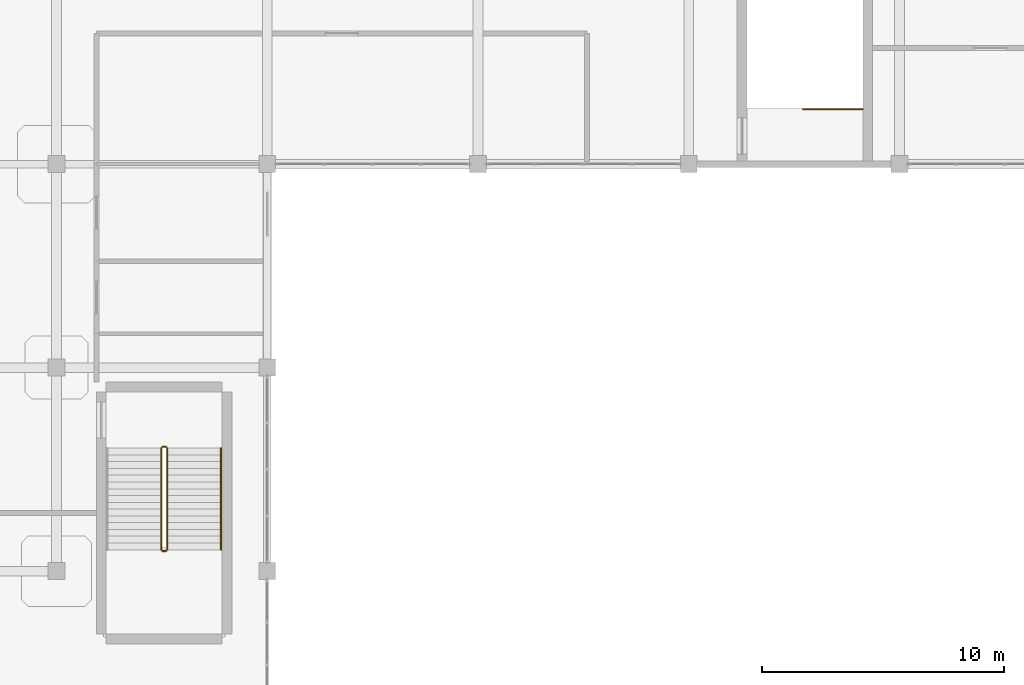
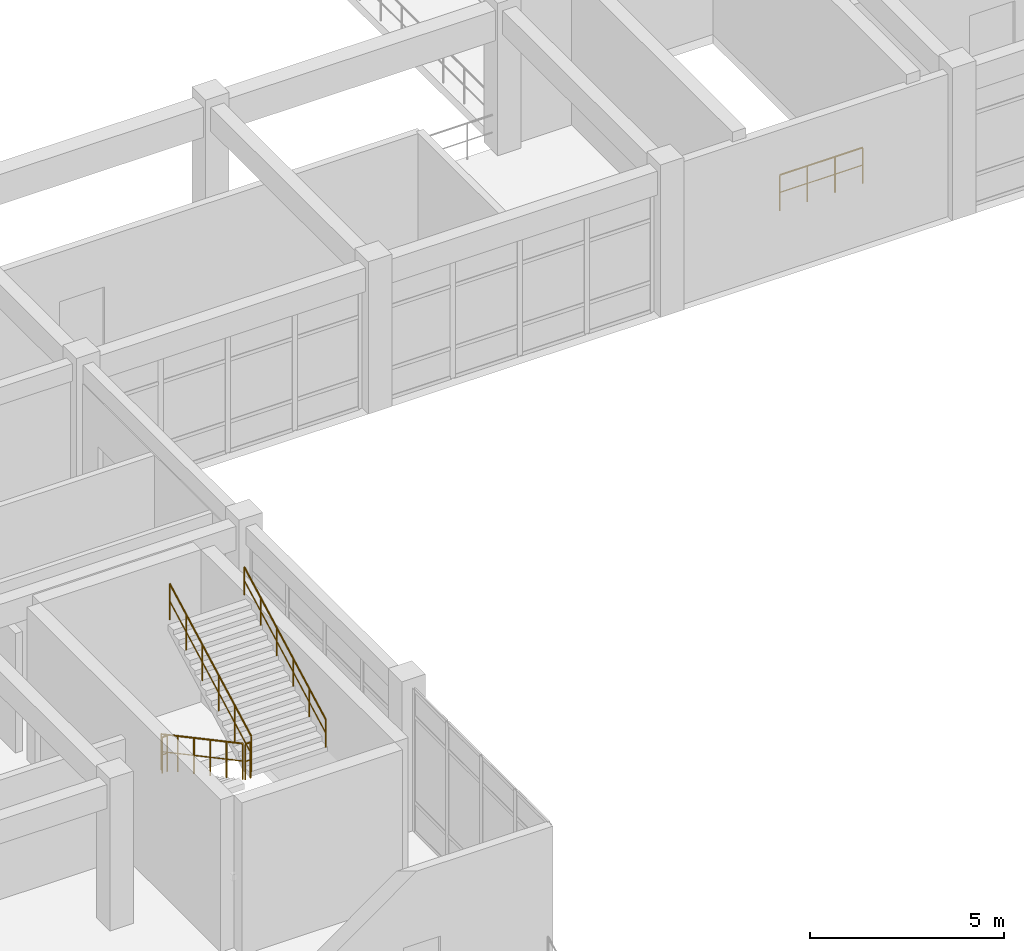
# One storey, part 62 of 64: 6 railings.
"""IFC4 building model written with IfcOpenShell, lengths in metres."""

from ifc_helpers import new_model, si_unit, derived_unit, direction, frame, origin, origin_2d, place, context, subcontext, project, spatial, circle, extrude, material, type_object, element, save


model = new_model("IFC4")

# Units and contexts
model_context = context("Model", 3, precision=1e-05, world=origin(), true_north=direction((0.0, 1.0)))
body_context = subcontext(model_context, "Body", "Model", "MODEL_VIEW")
ifc_project = project(units=[si_unit("LENGTHUNIT", "METRE"), si_unit("AREAUNIT", "SQUARE_METRE"), si_unit("VOLUMEUNIT", "CUBIC_METRE"), si_unit("PLANEANGLEUNIT", "RADIAN"), si_unit("MASSUNIT", "GRAM", prefix="KILO"), derived_unit("THERMALTRANSMITTANCEUNIT", [(si_unit("MASSUNIT", "GRAM", prefix="KILO"), 1), (si_unit("TIMEUNIT", "SECOND"), -3), (si_unit("THERMODYNAMICTEMPERATUREUNIT", "KELVIN"), -1)])], contexts=[model_context])

# Site, building, storey
site_placement = place(None, origin())
site = spatial("IfcSite", under=ifc_project, at=site_placement, CompositionType="ELEMENT")
building_placement = place(site_placement, origin())
building = spatial("IfcBuilding", under=site, at=building_placement, Name="Qinzheling Arcade Emporium", CompositionType="ELEMENT")
storey_placement = place(building_placement, frame((0.0, 0.0, 31.5)))
storey = spatial("IfcBuildingStorey", under=building, at=storey_placement, Name="L07", CompositionType="ELEMENT", Elevation=31.5)

# Railings
ifc_material_1 = material(Name="Galvanised powder-coated tubular steel", Category="steel")
railing_type_1 = type_object("IfcRailingType", Name="Painted Steel Stairwell Guard Railing 1150", PredefinedType="GUARDRAIL", material=ifc_material_1)
railing_1_placement = place(storey_placement, frame((65.219970703125, 30.280029296875, 0.14990234375)))
element("IfcRailing", 1, at=railing_1_placement, inside=storey, type_object=railing_type_1, Name="L07 ST01 stair guard 1", PredefinedType="GUARDRAIL", context=body_context, shape_type="SweptSolid", body=[
    extrude(circle(Radius=0.02392578125, at=origin_2d()), frame((0.0, 0.0, 1.1259765625), z_axis=(0.0, -0.881477684796, 0.472225678258), x_axis=(1.0, 0.0, 0.0)), (0.0, 0.0, 1.0), 4.7646484375),
    extrude(circle(Radius=0.01611328125, at=origin_2d()), frame((0.0, 0.0, 0.574951171875), z_axis=(0.0, -0.881477684796, 0.472225678258), x_axis=(1.0, 0.0, 0.0)), (0.0, 0.0, 1.0), 4.7646484375),
    extrude(circle(Radius=0.02099609375, at=origin_2d()), origin(), (0.0, 0.0, 1.0), 1.101806640625),
    extrude(circle(Radius=0.02099609375, at=origin_2d()), frame((0.0, -0.840087890625, 0.449951171875)), (0.0, 0.0, 1.0), 1.101806640625),
    extrude(circle(Radius=0.02099609375, at=origin_2d()), frame((0.0, -1.679931640625, 0.89990234375)), (0.0, 0.0, 1.0), 1.101806640625),
    extrude(circle(Radius=0.02099609375, at=origin_2d()), frame((0.0, -2.52001953125, 1.35009765625)), (0.0, 0.0, 1.0), 1.101806640625),
    extrude(circle(Radius=0.02099609375, at=origin_2d()), frame((0.0, -3.35986328125, 1.800048828125)), (0.0, 0.0, 1.0), 1.101806640625),
    extrude(circle(Radius=0.02099609375, at=origin_2d()), frame((0.0, -4.199951171875, 2.25)), (0.0, 0.0, 1.0), 1.101806640625),
])
railing_2_placement = place(storey_placement, frame((65.27001953125, 26.030029296875, 2.39990234375)))
element("IfcRailing", 2, at=railing_2_placement, inside=storey, type_object=railing_type_1, Name="L07 ST01 stair guard 2", PredefinedType="GUARDRAIL", context=body_context, shape_type="SweptSolid", body=[
    extrude(circle(Radius=0.02392578125, at=origin_2d()), frame((0.0, 0.0, 1.1259765625), z_axis=(1.0, 0.0, 0.0), x_axis=(0.0, 1.0, 0.0)), (0.0, 0.0, 1.0), 0.14990234375),
    extrude(circle(Radius=0.01611328125, at=origin_2d()), frame((0.0, 0.0, 0.574951171875), z_axis=(1.0, 0.0, 0.0), x_axis=(0.0, 1.0, 0.0)), (0.0, 0.0, 1.0), 0.14990234375),
    extrude(circle(Radius=0.02099609375, at=origin_2d()), origin(), (0.0, 0.0, 1.0), 1.101806640625),
    extrude(circle(Radius=0.02099609375, at=origin_2d()), frame((0.14990234375, 0.0, 0.0)), (0.0, 0.0, 1.0), 1.101806640625),
])
railing_3_placement = place(storey_placement, frame((65.469970703125, 26.080078125, 2.550048828125)))
element("IfcRailing", 3, at=railing_3_placement, inside=storey, type_object=railing_type_1, Name="L07 ST01 stair guard 3", PredefinedType="GUARDRAIL", context=body_context, shape_type="SweptSolid", body=[
    extrude(circle(Radius=0.02392578125, at=origin_2d()), frame((0.0, 0.0, 1.1259765625), z_axis=(0.0, 0.881477684796, 0.472225678258), x_axis=(-1.0, 0.0, 0.0)), (0.0, 0.0, 1.0), 4.7646484375),
    extrude(circle(Radius=0.01611328125, at=origin_2d()), frame((0.0, 0.0, 0.574951171875), z_axis=(0.0, 0.881477684796, 0.472225678258), x_axis=(-1.0, 0.0, 0.0)), (0.0, 0.0, 1.0), 4.7646484375),
    extrude(circle(Radius=0.02099609375, at=origin_2d()), origin(), (0.0, 0.0, 1.0), 1.101806640625),
    extrude(circle(Radius=0.02099609375, at=origin_2d()), frame((0.0, 0.840087890625, 0.449951171875)), (0.0, 0.0, 1.0), 1.101806640625),
    extrude(circle(Radius=0.02099609375, at=origin_2d()), frame((0.0, 1.679931640625, 0.89990234375)), (0.0, 0.0, 1.0), 1.101806640625),
    extrude(circle(Radius=0.02099609375, at=origin_2d()), frame((0.0, 2.52001953125, 1.35009765625)), (0.0, 0.0, 1.0), 1.101806640625),
    extrude(circle(Radius=0.02099609375, at=origin_2d()), frame((0.0, 3.35986328125, 1.800048828125)), (0.0, 0.0, 1.0), 1.101806640625),
    extrude(circle(Radius=0.02099609375, at=origin_2d()), frame((0.0, 4.199951171875, 2.25)), (0.0, 0.0, 1.0), 1.101806640625),
])
railing_4_placement = place(storey_placement, frame((65.27001953125, 30.330078125, 0.0)))
element("IfcRailing", 4, at=railing_4_placement, inside=storey, type_object=railing_type_1, Name="L07 ST01 stair guard 4", PredefinedType="GUARDRAIL", context=body_context, shape_type="SweptSolid", body=[
    extrude(circle(Radius=0.02392578125, at=origin_2d()), frame((0.0, 0.0, 1.1259765625), z_axis=(1.0, 0.0, 0.0), x_axis=(0.0, 1.0, 0.0)), (0.0, 0.0, 1.0), 0.14990234375),
    extrude(circle(Radius=0.01611328125, at=origin_2d()), frame((0.0, 0.0, 0.574951171875), z_axis=(1.0, 0.0, 0.0), x_axis=(0.0, 1.0, 0.0)), (0.0, 0.0, 1.0), 0.14990234375),
    extrude(circle(Radius=0.02099609375, at=origin_2d()), origin(), (0.0, 0.0, 1.0), 1.101806640625),
    extrude(circle(Radius=0.02099609375, at=origin_2d()), frame((0.14990234375, 0.0, 0.0)), (0.0, 0.0, 1.0), 1.101806640625),
])
railing_5_placement = place(storey_placement, frame((94.18994140625, 44.27001953125, 0.0)))
element("IfcRailing", 5, at=railing_5_placement, inside=storey, type_object=railing_type_1, Name="L07 ST04 top well guard 1", PredefinedType="GUARDRAIL", context=body_context, shape_type="SweptSolid", body=[
    extrude(circle(Radius=0.02392578125, at=origin_2d()), frame((0.0, 0.0, 1.1259765625), z_axis=(-1.0, 0.0, 0.0), x_axis=(0.0, -1.0, 0.0)), (0.0, 0.0, 1.0), 2.469970703125),
    extrude(circle(Radius=0.01611328125, at=origin_2d()), frame((0.0, 0.0, 0.574951171875), z_axis=(-1.0, 0.0, 0.0), x_axis=(0.0, -1.0, 0.0)), (0.0, 0.0, 1.0), 2.469970703125),
    extrude(circle(Radius=0.02099609375, at=origin_2d()), origin(), (0.0, 0.0, 1.0), 1.101806640625),
    extrude(circle(Radius=0.02099609375, at=origin_2d()), frame((-0.8232421875, 0.0, 0.0)), (0.0, 0.0, 1.0), 1.101806640625),
    extrude(circle(Radius=0.02099609375, at=origin_2d()), frame((-1.646728515625, 0.0, 0.0)), (0.0, 0.0, 1.0), 1.101806640625),
    extrude(circle(Radius=0.02099609375, at=origin_2d()), frame((-2.469970703125, 0.0, 0.0)), (0.0, 0.0, 1.0), 1.101806640625),
])
ifc_material_2 = material(Name="Brushed stainless steel 304", Category="steel")
railing_type_2 = type_object("IfcRailingType", Name="Stainless Steel Wall Handrail 900", PredefinedType="HANDRAIL", material=ifc_material_2)
railing_6_placement = place(storey_placement, frame((67.68994140625, 26.080078125, 2.550048828125)))
element("IfcRailing", 6, at=railing_6_placement, inside=storey, type_object=railing_type_2, Name="L07 ST01 stair handrail 2", PredefinedType="HANDRAIL", context=body_context, shape_type="SweptSolid", body=[
    extrude(circle(Radius=0.02392578125, at=origin_2d()), frame((0.0, 0.0, 0.8759765625), z_axis=(0.0, 0.881477684796, 0.472225678258), x_axis=(-1.0, 0.0, 0.0)), (0.0, 0.0, 1.0), 4.7646484375),
    extrude(circle(Radius=0.01611328125, at=origin_2d()), frame((0.0, 0.0, 0.449951171875), z_axis=(0.0, 0.881477684796, 0.472225678258), x_axis=(-1.0, 0.0, 0.0)), (0.0, 0.0, 1.0), 4.7646484375),
    extrude(circle(Radius=0.02099609375, at=origin_2d()), origin(), (0.0, 0.0, 1.0), 0.851806640625),
    extrude(circle(Radius=0.02099609375, at=origin_2d()), frame((0.0, 0.840087890625, 0.449951171875)), (0.0, 0.0, 1.0), 0.851806640625),
    extrude(circle(Radius=0.02099609375, at=origin_2d()), frame((0.0, 1.679931640625, 0.89990234375)), (0.0, 0.0, 1.0), 0.851806640625),
    extrude(circle(Radius=0.02099609375, at=origin_2d()), frame((0.0, 2.52001953125, 1.35009765625)), (0.0, 0.0, 1.0), 0.851806640625),
    extrude(circle(Radius=0.02099609375, at=origin_2d()), frame((0.0, 3.35986328125, 1.800048828125)), (0.0, 0.0, 1.0), 0.851806640625),
    extrude(circle(Radius=0.02099609375, at=origin_2d()), frame((0.0, 4.199951171875, 2.25)), (0.0, 0.0, 1.0), 0.851806640625),
])

save(model, "model.ifc")
